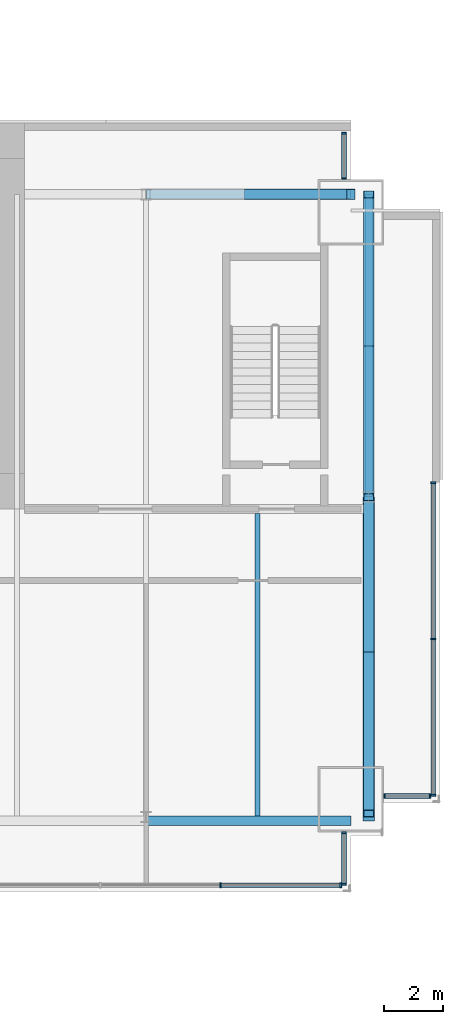
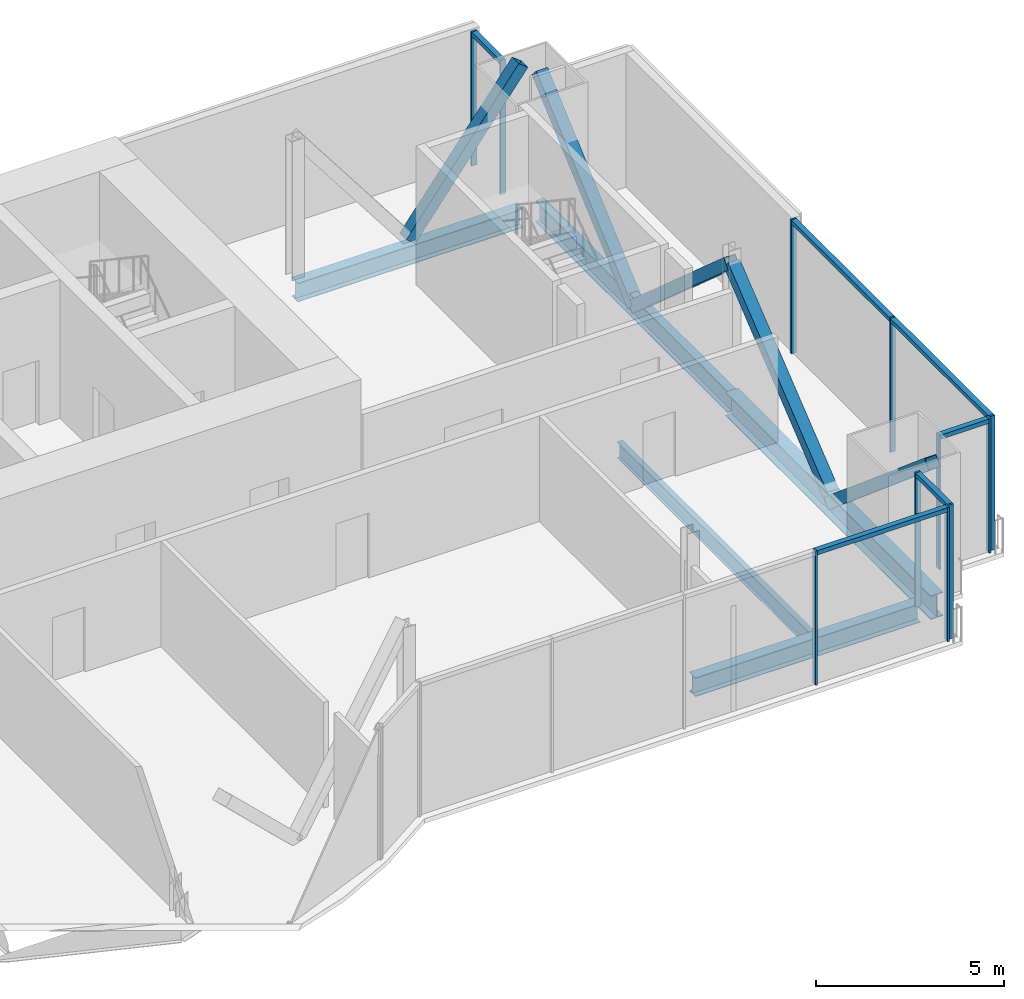
# One storey, part 9 of 17: 22 members, 5 beams, 5 elements without a shape of their own.
"""IFC4 building model written with IfcOpenShell, lengths in metres."""

import ifcopenshell
import ifcopenshell.guid

model = None  # the IFC model being written
_history = None  # IfcOwnerHistory: only IFC2X3 demands one
_inside = {}  # id of a spatial element -> (the spatial element, [elements in it])
_under = {}  # id of a project, library or spatial element -> (it, [spatial elements below it])
_declared = {}  # id of a project -> (the project, [libraries it declares])
_typed = {}  # id of a type object -> (the type object, [elements of that type])
_made_of = {}  # id of a material, layer set ... -> (it, [elements and type objects made of it])


def new_model(schema):
    """Start an empty IFC model of exactly this schema.

    Asked for "IFC4X3", IfcOpenShell would pick the latest addendum, in which some entities
    have other attributes; the version numbers below select the first issue.
    IFC2X3 requires an IfcOwnerHistory on every rooted entity: one is made here for all.
    """
    global model, _history
    if schema == "IFC4X3":
        model = ifcopenshell.file(schema_version=(4, 3, 0, 0))
    else:
        model = ifcopenshell.file(schema=schema)
    _inside.clear()
    _under.clear()
    _declared.clear()
    _typed.clear()
    _made_of.clear()
    _history = None
    if model.schema == "IFC2X3":
        org = make("IfcOrganization", Name="unknown")
        user = make(
            "IfcPersonAndOrganization",
            ThePerson=make("IfcPerson", FamilyName="unknown"),
            TheOrganization=org,
        )
        app = make(
            "IfcApplication",
            ApplicationDeveloper=org,
            Version="unknown",
            ApplicationFullName="unknown",
            ApplicationIdentifier="unknown",
        )
        _history = make(
            "IfcOwnerHistory",
            OwningUser=user,
            OwningApplication=app,
            ChangeAction="ADDED",
            CreationDate=0,
        )
    return model


def make(cls, **values):
    """One entity of the class cls with the attributes given. An attribute that is None is left unset."""
    return model.create_entity(
        cls, **{name: value for name, value in values.items() if value is not None}
    )


def rooted(cls, **values):
    """An entity with a GlobalId (a new one), such as an element, a storey or a relation."""
    return make(cls, GlobalId=ifcopenshell.guid.new(), OwnerHistory=_history, **values)


def si_unit(unit_type, name, prefix=None):
    """IfcSIUnit, for example si_unit("LENGTHUNIT", "METRE", prefix="MILLI")."""
    return make("IfcSIUnit", UnitType=unit_type, Prefix=prefix, Name=name)


def assignment(units):
    """IfcUnitAssignment: the units of a project."""
    return None if units is None else make("IfcUnitAssignment", Units=units)


def point(xyz):
    """IfcCartesianPoint."""
    return None if xyz is None else make("IfcCartesianPoint", Coordinates=xyz)


def direction(xyz):
    """IfcDirection."""
    return None if xyz is None else make("IfcDirection", DirectionRatios=xyz)


def frame(location, z_axis=None, x_axis=None):
    """IfcAxis2Placement3D, a coordinate frame: its origin and axes. An axis left out is left unset."""
    return make(
        "IfcAxis2Placement3D",
        Location=point(location),
        Axis=direction(z_axis),
        RefDirection=direction(x_axis),
    )


def frame_2d(location, x_axis=None):
    """IfcAxis2Placement2D, a coordinate frame in the plane: its origin and x axis."""
    return make(
        "IfcAxis2Placement2D", Location=point(location), RefDirection=direction(x_axis)
    )


def origin():
    """The frame at (0, 0, 0) with its axes left unset."""
    return frame((0.0, 0.0, 0.0))


def origin_2d():
    """The frame at (0, 0) in the plane with its x axis left unset."""
    return frame_2d((0.0, 0.0))


def place(relative_to, where):
    """IfcLocalPlacement: puts the frame where relative to a parent placement (None: the world)."""
    return make(
        "IfcLocalPlacement", PlacementRelTo=relative_to, RelativePlacement=where
    )


def context(
    kind, dimensions, precision=None, world=None, true_north=None, identifier=None
):
    """IfcGeometricRepresentationContext, for example the 3D "Model" context."""
    return make(
        "IfcGeometricRepresentationContext",
        ContextIdentifier=identifier,
        ContextType=kind,
        CoordinateSpaceDimension=dimensions,
        Precision=precision,
        WorldCoordinateSystem=world,
        TrueNorth=true_north,
    )


def subcontext(parent, identifier, kind, view, scale=None):
    """IfcGeometricRepresentationSubContext, for example "Body" below "Model"."""
    return make(
        "IfcGeometricRepresentationSubContext",
        ContextIdentifier=identifier,
        ContextType=kind,
        ParentContext=parent,
        TargetScale=scale,
        TargetView=view,
    )


def project(units=None, contexts=None):
    """IfcProject with its units and contexts."""
    return rooted(
        "IfcProject",
        Name="project",
        RepresentationContexts=contexts,
        UnitsInContext=assignment(units),
    )


def spatial(cls, under=None, at=None, **own):
    """A site, building, storey or space (cls), placed at a placement, below another one or the project."""
    s = rooted(cls, ObjectPlacement=at, **own)
    if under is not None:
        _under.setdefault(under.id(), (under, []))[1].append(s)
    return s


def profile(cls, at=None, kind="AREA", **sizes):
    """A parametric profile (cls). Its sizes go by their IFC names, for example OverallWidth=200.0."""
    return make(cls, ProfileType=kind, Position=at, **sizes)


def rectangle(**sizes):
    """IfcRectangleProfileDef."""
    return profile("IfcRectangleProfileDef", **sizes)


def hollow_rectangle(**sizes):
    """IfcRectangleHollowProfileDef."""
    return profile("IfcRectangleHollowProfileDef", **sizes)


def i_section(**sizes):
    """IfcIShapeProfileDef."""
    return profile("IfcIShapeProfileDef", **sizes)


def extrude(swept, where, along, depth):
    """IfcExtrudedAreaSolid: the profile swept, set in the frame where, extruded along a direction by depth."""
    return make(
        "IfcExtrudedAreaSolid",
        SweptArea=swept,
        Position=where,
        ExtrudedDirection=direction(along),
        Depth=depth,
    )


def shape(context_of_items, identifier, shape_type, items):
    """IfcShapeRepresentation: the items that make up one representation, for example the "Body"."""
    return make(
        "IfcShapeRepresentation",
        ContextOfItems=context_of_items,
        RepresentationIdentifier=identifier,
        RepresentationType=shape_type,
        Items=items,
    )


def material(Name=None, Category=None):
    """IfcMaterial."""
    return make("IfcMaterial", Name=Name, Category=Category)


def material_profile(
    of_material, cross_section, Name=None, Category=None, Priority=None
):
    """IfcMaterialProfile: a cross section and its material."""
    return make(
        "IfcMaterialProfile",
        Name=Name,
        Material=of_material,
        Profile=cross_section,
        Priority=Priority,
        Category=Category,
    )


def profile_set(profiles, Name=None, composite=None):
    """IfcMaterialProfileSet."""
    return make(
        "IfcMaterialProfileSet",
        Name=Name,
        MaterialProfiles=profiles,
        CompositeProfile=composite,
    )


def made_of(thing, what):
    """Note that an element or type object is made of a material, layer set ...; save() writes the relation."""
    if what is not None:
        _made_of.setdefault(what.id(), (what, []))[1].append(thing)
    return thing


def type_object(cls, material=None, **own):
    """A type object (cls), such as IfcWallType, which elements share."""
    return made_of(rooted(cls, **own), material)


def element(
    cls,
    number,
    at=None,
    inside=None,
    cuts=None,
    type_object=None,
    material=None,
    context=None,
    identifier="Body",
    shape_type=None,
    held_by="IfcProductDefinitionShape",
    body=None,
    shapes=None,
    **own,
):
    """One element of the class cls, such as IfcWall. Its Tag is "e" and its number.

    at: its placement. inside: the storey or other place that contains it. cuts: it is an
    opening in that element (IfcRelVoidsElement). A single representation is given by context,
    identifier, shape_type and body (its items); several are given by shapes. held_by: the class
    of the entity that holds the representations. save() writes the other relations.
    """
    e = rooted(cls, Tag="e%d" % number, ObjectPlacement=at, **own)
    if body is not None:
        shapes = [shape(context, identifier, shape_type, body)]
    if shapes is not None:
        e.Representation = make(held_by, Representations=shapes)
    if inside is not None:
        _inside.setdefault(inside.id(), (inside, []))[1].append(e)
    if cuts is not None:
        rooted(
            "IfcRelVoidsElement", RelatingBuildingElement=cuts, RelatedOpeningElement=e
        )
    if type_object is not None:
        _typed.setdefault(type_object.id(), (type_object, []))[1].append(e)
    return made_of(e, material)


def aggregate(whole, parts):
    """IfcRelAggregates: a whole, such as a stair, and the parts it consists of."""
    return rooted("IfcRelAggregates", RelatingObject=whole, RelatedObjects=parts)


def save(model, path):
    """Write the relations noted so far, then the file.

    IfcRelAggregates (storeys below a building ...), IfcRelContainedInSpatialStructure (elements
    in a storey), IfcRelDefinesByType, IfcRelAssociatesMaterial and IfcRelDeclares: one each for
    every whole, place, type object, material and project.
    """
    for whole, parts in _under.values():
        aggregate(whole, parts)
    for where, things in _inside.values():
        rooted(
            "IfcRelContainedInSpatialStructure",
            RelatedElements=things,
            RelatingStructure=where,
        )
    for kind, things in _typed.values():
        rooted("IfcRelDefinesByType", RelatedObjects=things, RelatingType=kind)
    for what, things in _made_of.values():
        rooted("IfcRelAssociatesMaterial", RelatedObjects=things, RelatingMaterial=what)
    for by, libraries in _declared.values():
        rooted("IfcRelDeclares", RelatingContext=by, RelatedDefinitions=libraries)
    model.write(path)


model = new_model("IFC4")

# Units and contexts
model_context = context("Model", 3, precision=1e-05, world=origin(), true_north=direction((0.0, 1.0)))
body_context = subcontext(model_context, "Body", "Model", "MODEL_VIEW")
ifc_project = project(units=[si_unit("LENGTHUNIT", "METRE"), si_unit("AREAUNIT", "SQUARE_METRE"), si_unit("VOLUMEUNIT", "CUBIC_METRE"), si_unit("PLANEANGLEUNIT", "RADIAN"), si_unit("MASSUNIT", "GRAM", prefix="KILO")], contexts=[model_context])

# Site, building, storey
site_placement = place(None, origin())
site = spatial("IfcSite", under=ifc_project, at=site_placement, CompositionType="ELEMENT")
building_placement = place(site_placement, origin())
building = spatial("IfcBuilding", under=site, at=building_placement, Name="Bicima Exchange Tower", CompositionType="ELEMENT")
storey_placement = place(building_placement, frame((0.0, 0.0, 320.0)))
storey = spatial("IfcBuildingStorey", under=building, at=storey_placement, Name="L72", CompositionType="ELEMENT", Elevation=320.0)

# Curtain wall, members
ifc_material_1 = material(Name="Anodised bronze aluminium", Category="aluminium")
curtain_wall_type_1 = type_object("IfcCurtainWallType", Name="End face glass wall", PredefinedType="NOTDEFINED", material=ifc_material_1)
curtain_wall_1_placement = place(storey_placement, origin())
curtain_wall_1 = element("IfcCurtainWall", 1, at=curtain_wall_1_placement, inside=storey, type_object=curtain_wall_type_1, Name="End face glass wall L72 run 19", PredefinedType="NOTDEFINED")
ifc_material_profile_1 = material_profile(ifc_material_1, rectangle(XDim=0.159912109375, YDim=0.06005859375, at=origin_2d()))
ifc_profile_set_1 = profile_set([ifc_material_profile_1], Name="Anodised bronze aluminium")
member_type_1 = type_object("IfcMemberType", Name="End face glass wall mullion 60 x 160", PredefinedType="MULLION", material=ifc_profile_set_1)
member_1_placement = place(storey_placement, frame((35.77001953125, -22.635986328125, 0.0), z_axis=(0.0, 0.0, 1.0), x_axis=(-1.0, 0.0, 0.0)))
member_1 = element("IfcMember", 2, at=member_1_placement, type_object=member_type_1, Name="End face glass wall mullion 1", PredefinedType="MULLION", context=body_context, shape_type="SweptSolid", body=[
    extrude(rectangle(XDim=0.159912109375, YDim=0.06005859375, at=origin_2d()), origin(), (0.0, 0.0, 1.0), 4.35009765625),
])
member_2_placement = place(storey_placement, frame((35.77001953125, -17.373046875, 0.0), z_axis=(0.0, 0.0, 1.0), x_axis=(-1.0, 0.0, 0.0)))
member_2 = element("IfcMember", 3, at=member_2_placement, type_object=member_type_1, Name="End face glass wall mullion 2", PredefinedType="MULLION", context=body_context, shape_type="SweptSolid", body=[
    extrude(rectangle(XDim=0.159912109375, YDim=0.06005859375, at=origin_2d()), origin(), (0.0, 0.0, 1.0), 4.35009765625),
])
member_3_placement = place(storey_placement, frame((35.77001953125, -12.110107421875, 0.0), z_axis=(0.0, 0.0, 1.0), x_axis=(-1.0, 0.0, 0.0)))
member_3 = element("IfcMember", 4, at=member_3_placement, type_object=member_type_1, Name="End face glass wall mullion 3", PredefinedType="MULLION", context=body_context, shape_type="SweptSolid", body=[
    extrude(rectangle(XDim=0.159912109375, YDim=0.06005859375, at=origin_2d()), origin(), (0.0, 0.0, 1.0), 4.35009765625),
])
ifc_material_profile_2 = material_profile(ifc_material_1, rectangle(XDim=0.159912109375, YDim=0.139892578125, at=origin_2d()))
ifc_profile_set_2 = profile_set([ifc_material_profile_2], Name="Anodised bronze aluminium")
member_type_2 = type_object("IfcMemberType", Name="End face glass wall transom 140 x 160", PredefinedType="USERDEFINED", material=ifc_profile_set_2)
member_4_placement = place(storey_placement, frame((35.77001953125, -22.60595703125, 4.280029296875), z_axis=(0.0, 1.0, 0.0), x_axis=(-1.0, 0.0, 0.0)))
member_4 = element("IfcMember", 5, at=member_4_placement, type_object=member_type_2, Name="End face glass wall transom 1.1", ObjectType="TRANSOM", PredefinedType="USERDEFINED", context=body_context, shape_type="SweptSolid", body=[
    extrude(rectangle(XDim=0.159912109375, YDim=0.139892578125, at=origin_2d()), origin(), (0.0, 0.0, 1.0), 5.202880859375),
])
member_5_placement = place(storey_placement, frame((35.77001953125, -17.343017578125, 4.280029296875), z_axis=(0.0, 1.0, 0.0), x_axis=(-1.0, 0.0, 0.0)))
member_5 = element("IfcMember", 6, at=member_5_placement, type_object=member_type_2, Name="End face glass wall transom 2.1", ObjectType="TRANSOM", PredefinedType="USERDEFINED", context=body_context, shape_type="SweptSolid", body=[
    extrude(rectangle(XDim=0.159912109375, YDim=0.139892578125, at=origin_2d()), origin(), (0.0, 0.0, 1.0), 5.203125),
])
aggregate(curtain_wall_1, [member_1, member_2, member_3, member_4, member_5])

# Beams
ifc_material_2 = material(Name="Steel ASTM A992 Gr 50", Category="steel")
ifc_material_profile_3 = material_profile(ifc_material_2, i_section(OverallWidth=0.256591796875, OverallDepth=0.693359375, WebThickness=0.014404296875, FlangeThickness=0.023681640625, at=origin_2d()))
ifc_profile_set_3 = profile_set([ifc_material_profile_3], Name="Steel ASTM A992 Gr 50")
beam_type_1 = type_object("IfcBeamType", Name="End girder W27x114", PredefinedType="BEAM", material=ifc_profile_set_3)
beam_1_placement = place(storey_placement, frame((33.60009765625, -2.39990234375, -0.49658203125), z_axis=(0.0, -1.0, 0.0), x_axis=(1.0, 0.0, 0.0)))
element("IfcBeam", 7, at=beam_1_placement, inside=storey, type_object=beam_type_1, Name="End girder", PredefinedType="BEAM", context=body_context, shape_type="SweptSolid", body=[
    extrude(i_section(OverallWidth=0.256591796875, OverallDepth=0.693359375, WebThickness=0.014404296875, FlangeThickness=0.023681640625, at=origin_2d()), origin(), (0.0, 0.0, 1.0), 10.2001953125),
])
ifc_material_profile_4 = material_profile(ifc_material_2, i_section(OverallWidth=0.381103515625, OverallDepth=0.772216796875, WebThickness=0.0166015625, FlangeThickness=0.027099609375, at=origin_2d()))
ifc_profile_set_4 = profile_set([ifc_material_profile_4], Name="Steel ASTM A992 Gr 50")
beam_type_2 = type_object("IfcBeamType", Name="End girder W30x173", PredefinedType="BEAM", material=ifc_profile_set_4)
beam_2_placement = place(storey_placement, frame((33.60009765625, -12.60009765625, -0.5361328125), z_axis=(0.0, -1.0, 0.0), x_axis=(1.0, 0.0, 0.0)))
element("IfcBeam", 8, at=beam_2_placement, inside=storey, type_object=beam_type_2, Name="End girder", PredefinedType="BEAM", context=body_context, shape_type="SweptSolid", body=[
    extrude(i_section(OverallWidth=0.381103515625, OverallDepth=0.772216796875, WebThickness=0.0166015625, FlangeThickness=0.027099609375, at=origin_2d()), origin(), (0.0, 0.0, 1.0), 10.89599609375),
])
ifc_material_profile_5 = material_profile(ifc_material_2, i_section(OverallWidth=0.165771484375, OverallDepth=0.5283203125, WebThickness=0.009765625, FlangeThickness=0.013671875, at=origin_2d()))
ifc_profile_set_5 = profile_set([ifc_material_profile_5], Name="Steel ASTM A992 Gr 50")
beam_type_3 = type_object("IfcBeamType", Name="Floor beam W21x50", PredefinedType="JOIST", material=ifc_profile_set_5)
beam_3_placement = place(storey_placement, frame((29.85009765625, -13.15234375, -0.414306640625), z_axis=(0.0, -1.0, 0.0), x_axis=(1.0, 0.0, 0.0)))
element("IfcBeam", 9, at=beam_3_placement, inside=storey, type_object=beam_type_3, Name="Floor beam", PredefinedType="JOIST", context=body_context, shape_type="SweptSolid", body=[
    extrude(i_section(OverallWidth=0.165771484375, OverallDepth=0.5283203125, WebThickness=0.009765625, FlangeThickness=0.013671875, at=origin_2d()), origin(), (0.0, 0.0, 1.0), 10.18115234375),
])
ifc_material_profile_6 = material_profile(ifc_material_2, i_section(OverallWidth=0.3251953125, OverallDepth=0.612060546875, WebThickness=0.0126953125, FlangeThickness=0.01904296875, at=origin_2d()))
ifc_profile_set_6 = profile_set([ifc_material_profile_6], Name="Steel ASTM A992 Gr 50")
beam_type_4 = type_object("IfcBeamType", Name="Front girder W24x104", PredefinedType="BEAM", material=ifc_profile_set_6)
beam_4_placement = place(storey_placement, frame((26.10009765625, -23.49609375, -0.4560546875), z_axis=(1.0, 0.0, 0.0), x_axis=(0.0, 1.0, 0.0)))
element("IfcBeam", 10, at=beam_4_placement, inside=storey, type_object=beam_type_4, Name="Front girder", PredefinedType="BEAM", context=body_context, shape_type="SweptSolid", body=[
    extrude(i_section(OverallWidth=0.3251953125, OverallDepth=0.612060546875, WebThickness=0.0126953125, FlangeThickness=0.01904296875, at=origin_2d()), origin(), (0.0, 0.0, 1.0), 6.89990234375),
])

# Curtain wall, members
curtain_wall_type_2 = type_object("IfcCurtainWallType", Name="Front glass wall", PredefinedType="NOTDEFINED", material=ifc_material_1)
curtain_wall_2_placement = place(storey_placement, origin())
curtain_wall_2 = element("IfcCurtainWall", 11, at=curtain_wall_2_placement, inside=storey, type_object=curtain_wall_type_2, Name="Front glass wall L72 run 16", PredefinedType="NOTDEFINED")
member_type_3 = type_object("IfcMemberType", Name="Front glass wall mullion 60 x 160", PredefinedType="MULLION", material=ifc_profile_set_1)
member_6_placement = place(storey_placement, frame((28.610595703125, -25.666015625, 0.0), z_axis=(0.0, 0.0, 1.0), x_axis=(0.0, 1.0, 0.0)))
member_6 = element("IfcMember", 12, at=member_6_placement, type_object=member_type_3, Name="Front glass wall mullion 4", PredefinedType="MULLION", context=body_context, shape_type="SweptSolid", body=[
    extrude(rectangle(XDim=0.159912109375, YDim=0.06005859375, at=origin_2d()), origin(), (0.0, 0.0, 1.0), 4.35009765625),
])
member_7_placement = place(storey_placement, frame((32.659912109375, -25.666015625, 0.0), z_axis=(0.0, 0.0, 1.0), x_axis=(0.0, 1.0, 0.0)))
member_7 = element("IfcMember", 13, at=member_7_placement, type_object=member_type_3, Name="Front glass wall mullion 5", PredefinedType="MULLION", context=body_context, shape_type="SweptSolid", body=[
    extrude(rectangle(XDim=0.159912109375, YDim=0.06005859375, at=origin_2d()), origin(), (0.0, 0.0, 1.0), 4.35009765625),
])

curtain_wall_3_placement = place(storey_placement, origin())
curtain_wall_3 = element("IfcCurtainWall", 14, at=curtain_wall_3_placement, inside=storey, type_object=curtain_wall_type_2, Name="Front glass wall L72 run 17", PredefinedType="NOTDEFINED")
member_8_placement = place(storey_placement, frame((32.77001953125, -25.635986328125, 0.0), z_axis=(0.0, 0.0, 1.0), x_axis=(-1.0, 0.0, 0.0)))
member_8 = element("IfcMember", 15, at=member_8_placement, type_object=member_type_3, Name="Front glass wall mullion 1", PredefinedType="MULLION", context=body_context, shape_type="SweptSolid", body=[
    extrude(rectangle(XDim=0.159912109375, YDim=0.06005859375, at=origin_2d()), origin(), (0.0, 0.0, 1.0), 4.35009765625),
])
member_9_placement = place(storey_placement, frame((32.77001953125, -23.904052734375, 0.0), z_axis=(0.0, 0.0, 1.0), x_axis=(-1.0, 0.0, 0.0)))
member_9 = element("IfcMember", 16, at=member_9_placement, type_object=member_type_3, Name="Front glass wall mullion 2", PredefinedType="MULLION", context=body_context, shape_type="SweptSolid", body=[
    extrude(rectangle(XDim=0.159912109375, YDim=0.06005859375, at=origin_2d()), origin(), (0.0, 0.0, 1.0), 4.35009765625),
])

curtain_wall_4_placement = place(storey_placement, origin())
curtain_wall_4 = element("IfcCurtainWall", 17, at=curtain_wall_4_placement, inside=storey, type_object=curtain_wall_type_2, Name="Front glass wall L72 run 18", PredefinedType="NOTDEFINED")
member_10_placement = place(storey_placement, frame((34.1298828125, -22.666015625, 0.0), z_axis=(0.0, 0.0, 1.0), x_axis=(0.0, 1.0, 0.0)))
member_10 = element("IfcMember", 18, at=member_10_placement, type_object=member_type_3, Name="Front glass wall mullion 1", PredefinedType="MULLION", context=body_context, shape_type="SweptSolid", body=[
    extrude(rectangle(XDim=0.159912109375, YDim=0.06005859375, at=origin_2d()), origin(), (0.0, 0.0, 1.0), 4.35009765625),
])
member_11_placement = place(storey_placement, frame((35.659912109375, -22.666015625, 0.0), z_axis=(0.0, 0.0, 1.0), x_axis=(0.0, 1.0, 0.0)))
member_11 = element("IfcMember", 19, at=member_11_placement, type_object=member_type_3, Name="Front glass wall mullion 2", PredefinedType="MULLION", context=body_context, shape_type="SweptSolid", body=[
    extrude(rectangle(XDim=0.159912109375, YDim=0.06005859375, at=origin_2d()), origin(), (0.0, 0.0, 1.0), 4.35009765625),
])

curtain_wall_5_placement = place(storey_placement, origin())
curtain_wall_5 = element("IfcCurtainWall", 20, at=curtain_wall_5_placement, inside=storey, type_object=curtain_wall_type_2, Name="Front glass wall L72 run 20", PredefinedType="NOTDEFINED")
member_12_placement = place(storey_placement, frame((32.77001953125, -1.8701171875, 0.0), z_axis=(0.0, 0.0, 1.0), x_axis=(-1.0, 0.0, 0.0)))
member_12 = element("IfcMember", 21, at=member_12_placement, type_object=member_type_3, Name="Front glass wall mullion 1", PredefinedType="MULLION", context=body_context, shape_type="SweptSolid", body=[
    extrude(rectangle(XDim=0.159912109375, YDim=0.06005859375, at=origin_2d()), origin(), (0.0, 0.0, 1.0), 4.35009765625),
])
member_13_placement = place(storey_placement, frame((32.77001953125, -0.340087890625, 0.0), z_axis=(0.0, 0.0, 1.0), x_axis=(-1.0, 0.0, 0.0)))
member_13 = element("IfcMember", 22, at=member_13_placement, type_object=member_type_3, Name="Front glass wall mullion 2", PredefinedType="MULLION", context=body_context, shape_type="SweptSolid", body=[
    extrude(rectangle(XDim=0.159912109375, YDim=0.06005859375, at=origin_2d()), origin(), (0.0, 0.0, 1.0), 4.35009765625),
])

# Member
member_type_4 = type_object("IfcMemberType", Name="Front glass wall transom 140 x 160", PredefinedType="USERDEFINED", material=ifc_profile_set_2)
member_14_placement = place(storey_placement, frame((28.640380859375, -25.666015625, 4.280029296875), z_axis=(1.0, 0.0, 0.0), x_axis=(0.0, 1.0, 0.0)))
member_14 = element("IfcMember", 23, at=member_14_placement, type_object=member_type_4, Name="Front glass wall transom 4.1", ObjectType="TRANSOM", PredefinedType="USERDEFINED", context=body_context, shape_type="SweptSolid", body=[
    extrude(rectangle(XDim=0.159912109375, YDim=0.139892578125, at=origin_2d()), origin(), (0.0, 0.0, 1.0), 3.989501953125),
])

aggregate(curtain_wall_2, [member_6, member_7, member_14])

member_15_placement = place(storey_placement, frame((32.77001953125, -25.60595703125, 4.280029296875), z_axis=(0.0, 1.0, 0.0), x_axis=(-1.0, 0.0, 0.0)))
member_15 = element("IfcMember", 24, at=member_15_placement, type_object=member_type_4, Name="Front glass wall transom 1.1", ObjectType="TRANSOM", PredefinedType="USERDEFINED", context=body_context, shape_type="SweptSolid", body=[
    extrude(rectangle(XDim=0.159912109375, YDim=0.139892578125, at=origin_2d()), origin(), (0.0, 0.0, 1.0), 1.671875),
])

aggregate(curtain_wall_3, [member_8, member_9, member_15])

member_16_placement = place(storey_placement, frame((34.159912109375, -22.666015625, 4.280029296875), z_axis=(1.0, 0.0, 0.0), x_axis=(0.0, 1.0, 0.0)))
member_16 = element("IfcMember", 25, at=member_16_placement, type_object=member_type_4, Name="Front glass wall transom 1.1", ObjectType="TRANSOM", PredefinedType="USERDEFINED", context=body_context, shape_type="SweptSolid", body=[
    extrude(rectangle(XDim=0.159912109375, YDim=0.139892578125, at=origin_2d()), origin(), (0.0, 0.0, 1.0), 1.469970703125),
])

aggregate(curtain_wall_4, [member_10, member_11, member_16])

member_17_placement = place(storey_placement, frame((32.77001953125, -1.840087890625, 4.280029296875), z_axis=(0.0, 1.0, 0.0), x_axis=(-1.0, 0.0, 0.0)))
member_17 = element("IfcMember", 26, at=member_17_placement, type_object=member_type_4, Name="Front glass wall transom 1.1", ObjectType="TRANSOM", PredefinedType="USERDEFINED", context=body_context, shape_type="SweptSolid", body=[
    extrude(rectangle(XDim=0.159912109375, YDim=0.139892578125, at=origin_2d()), origin(), (0.0, 0.0, 1.0), 1.469970703125),
])

aggregate(curtain_wall_5, [member_12, member_13, member_17])

# Members
ifc_material_3 = material(Name="Steel ASTM A572 Gr 50", Category="steel")
ifc_material_profile_7 = material_profile(ifc_material_3, hollow_rectangle(XDim=0.355712890625, YDim=0.355712890625, WallThickness=0.01171875, at=origin_2d()))
ifc_profile_set_7 = profile_set([ifc_material_profile_7], Name="Steel ASTM A572 Gr 50")
member_type_5 = type_object("IfcMemberType", Name="Mega brace HSS14x14x1/2", PredefinedType="BRACE", material=ifc_profile_set_7)
member_18_placement = place(storey_placement, frame((29.550048828125, -2.39990234375, 0.0), z_axis=(0.608426120198, 0.0, 0.793610519248), x_axis=(0.0, 1.0, 0.0)))
element("IfcMember", 27, at=member_18_placement, inside=storey, type_object=member_type_5, Name="Mega brace rear", PredefinedType="BRACE", context=body_context, shape_type="SweptSolid", body=[
    extrude(hollow_rectangle(XDim=0.355712890625, YDim=0.355712890625, WallThickness=0.01171875, at=origin_2d()), origin(), (0.0, 0.0, 1.0), 5.670166015625),
])
for number, where, z_axis, x_axis, name in (
    (28, (33.60009765625, -7.5, -0.49658203125), (0.0, -0.749844140428, 0.661614513948), (1.0, 0.0, 0.0), "Mega brace east end"),
    (29, (33.60009765625, -7.5, -0.49658203125), (0.0, 0.749844140428, 0.661614513948), (-1.0, 0.0, 0.0), "Mega brace east end"),
):
    element("IfcMember", number, at=place(storey_placement, frame(where, z_axis=z_axis, x_axis=x_axis)), inside=storey, type_object=member_type_5, Name=name, PredefinedType="BRACE", context=body_context, shape_type="SweptSolid", body=[
        extrude(hollow_rectangle(XDim=0.355712890625, YDim=0.355712890625, WallThickness=0.01171875, at=origin_2d()), origin(), (0.0, 0.0, 1.0), 6.801513671875),
    ])
member_19_placement = place(storey_placement, frame((33.60009765625, -17.926025390625, -0.5361328125), z_axis=(0.0, -0.76384961339, 0.64539427339), x_axis=(1.0, 0.0, 0.0)))
element("IfcMember", 30, at=member_19_placement, inside=storey, type_object=member_type_5, Name="Mega brace east end", PredefinedType="BRACE", context=body_context, shape_type="SweptSolid", body=[
    extrude(hollow_rectangle(XDim=0.355712890625, YDim=0.355712890625, WallThickness=0.01171875, at=origin_2d()), origin(), (0.0, 0.0, 1.0), 6.972412109375),
])
member_20_placement = place(storey_placement, frame((33.60009765625, -18.169921875, -0.5361328125), z_axis=(0.0, 0.777852713674, 0.628446621305), x_axis=(-1.0, 0.0, 0.0)))
element("IfcMember", 31, at=member_20_placement, inside=storey, type_object=member_type_5, Name="Mega brace east end", PredefinedType="BRACE", context=body_context, shape_type="SweptSolid", body=[
    extrude(hollow_rectangle(XDim=0.355712890625, YDim=0.355712890625, WallThickness=0.01171875, at=origin_2d()), origin(), (0.0, 0.0, 1.0), 7.160400390625),
])

# Beam
beam_type_5 = type_object("IfcBeamType", Name="Rear girder W24x104", PredefinedType="BEAM", material=ifc_profile_set_6)
beam_5_placement = place(storey_placement, frame((26.10009765625, -2.39990234375, -0.4560546875), z_axis=(1.0, 0.0, 0.0), x_axis=(0.0, 1.0, 0.0)))
element("IfcBeam", 32, at=beam_5_placement, inside=storey, type_object=beam_type_5, Name="Rear girder", PredefinedType="BEAM", context=body_context, shape_type="SweptSolid", body=[
    extrude(i_section(OverallWidth=0.3251953125, OverallDepth=0.612060546875, WebThickness=0.0126953125, FlangeThickness=0.01904296875, at=origin_2d()), origin(), (0.0, 0.0, 1.0), 6.89990234375),
])

save(model, "model.ifc")
